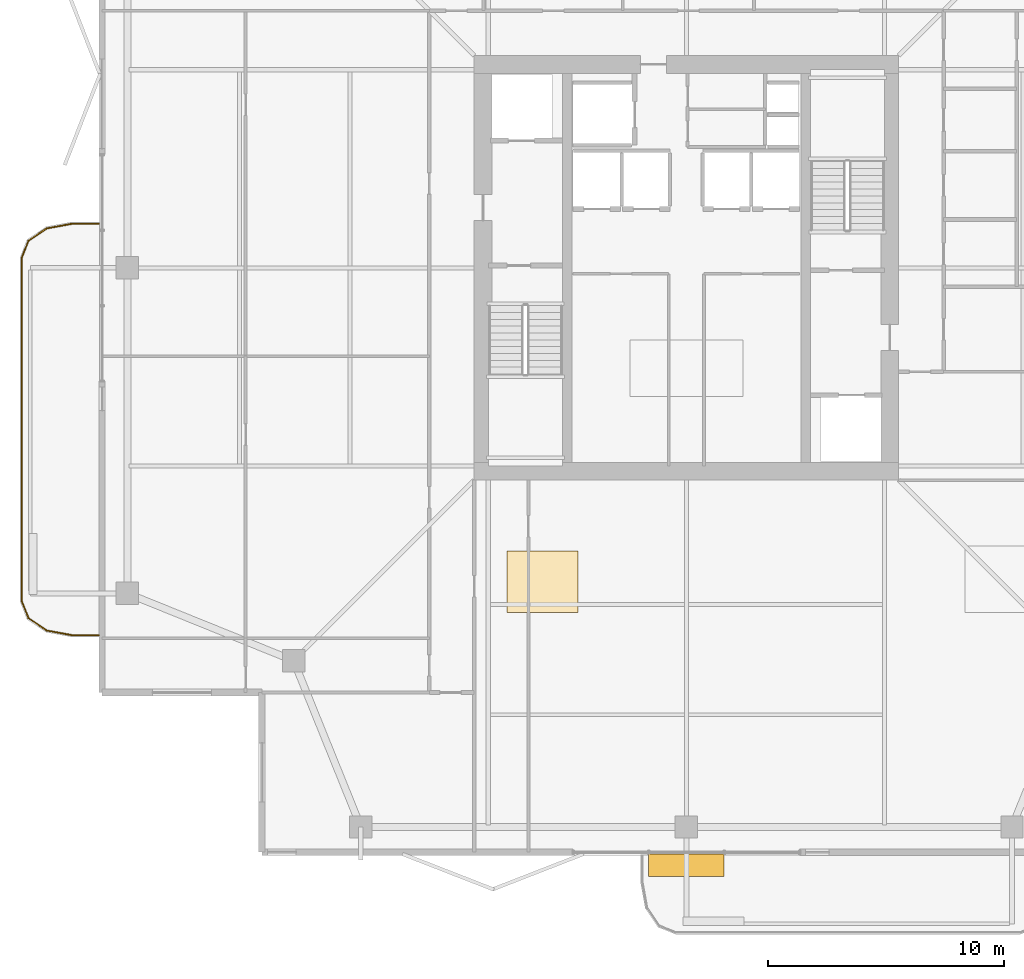
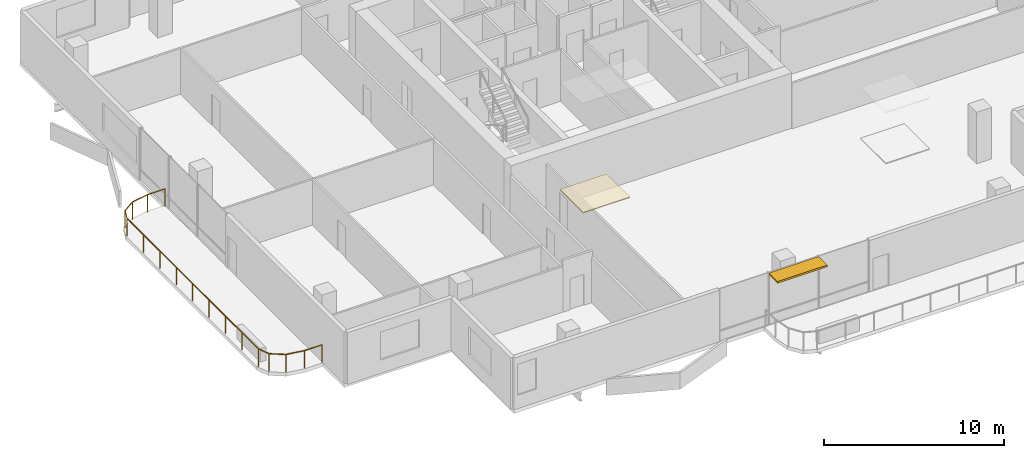
# One storey, part 22 of 25: 1 covering, 1 railing, 1 shading device.
"""IFC4 building model written with IfcOpenShell, lengths in metres."""

from ifc_helpers import new_model, si_unit, direction, frame, origin, origin_2d, place, context, subcontext, project, spatial, polyline, rectangle, outline, extrude, material, layer, layer_set, type_object, element, save


model = new_model("IFC4")

# Units and contexts
model_context = context("Model", 3, precision=1e-05, world=origin(), true_north=direction((0.0, 1.0)))
body_context = subcontext(model_context, "Body", "Model", "MODEL_VIEW")
ifc_project = project(units=[si_unit("LENGTHUNIT", "METRE"), si_unit("AREAUNIT", "SQUARE_METRE"), si_unit("VOLUMEUNIT", "CUBIC_METRE"), si_unit("PLANEANGLEUNIT", "RADIAN"), si_unit("MASSUNIT", "GRAM", prefix="KILO")], contexts=[model_context])

# Site, building, storey
site_placement = place(None, origin())
site = spatial("IfcSite", under=ifc_project, at=site_placement, CompositionType="ELEMENT")
building_placement = place(site_placement, origin())
building = spatial("IfcBuilding", under=site, at=building_placement, Name="Belovzor Exchange Tower", CompositionType="ELEMENT")
storey_placement = place(building_placement, frame((0.0, 0.0, 269.10009765625)))
storey = spatial("IfcBuildingStorey", under=building, at=storey_placement, Name="L67", CompositionType="ELEMENT", Elevation=269.10009765625)

# Railing
ifc_material_1 = material(Name="Stainless Steel and Laminated Safety Glass", Category="steel")
railing_type = type_object("IfcRailingType", Name="Laminated Glass & Stainless Steel Balcony Balustrade 1200", PredefinedType="BALUSTRADE", material=ifc_material_1)
railing_placement = place(storey_placement, frame((3.889892578125, 30.669921875, 0.0)))
element("IfcRailing", 1, at=railing_placement, inside=storey, type_object=railing_type, Name="GR-1 Balcony Balustrade L67 West", PredefinedType="BALUSTRADE", context=body_context, shape_type="SweptSolid", body=[
    extrude(rectangle(XDim=0.048095703125, YDim=0.048095703125, at=origin_2d()), frame((0.0, 0.0, 1.17578125), z_axis=(-1.0, 0.0, 0.0), x_axis=(0.0, -1.0, 0.0)), (0.0, 0.0, 1.0), 1.1328125),
    extrude(rectangle(XDim=0.048095703125, YDim=0.048095703125, at=origin_2d()), frame((-1.1328125, 0.0, 1.17578125), z_axis=(-0.983651385113, -0.180083182347, 0.0), x_axis=(0.180083182347, -0.983651385113, 0.0)), (0.0, 0.0, 1.0), 1.093994140625),
    extrude(rectangle(XDim=0.048095703125, YDim=0.048095703125, at=origin_2d()), frame((-2.208984375, -0.197021484375, 1.17578125), z_axis=(-0.826614792125, -0.562768145367, 0.0), x_axis=(0.562768145367, -0.826614792125, 0.0)), (0.0, 0.0, 1.0), 0.9326171875),
    extrude(rectangle(XDim=0.048095703125, YDim=0.048095703125, at=origin_2d()), frame((-2.97998046875, -0.721923828125, 1.17578125), z_axis=(-0.365612923861, -0.930766990125, 0.0), x_axis=(0.930766990125, -0.365612923861, 0.0)), (0.0, 0.0, 1.0), 0.765869140625),
    extrude(rectangle(XDim=0.048095703125, YDim=0.048095703125, at=origin_2d()), frame((-3.260009765625, -1.434814453125, 1.17578125), z_axis=(0.0, -1.0, 0.0), x_axis=(1.0, 0.0, 0.0)), (0.0, 0.0, 1.0), 14.570068359375),
    extrude(rectangle(XDim=0.048095703125, YDim=0.048095703125, at=origin_2d()), frame((-3.260009765625, -16.0048828125, 1.17578125), z_axis=(0.365504480807, -0.930809580156, 0.0), x_axis=(0.930809580156, 0.365504480807, 0.0)), (0.0, 0.0, 1.0), 0.76611328125),
    extrude(rectangle(XDim=0.048095703125, YDim=0.048095703125, at=origin_2d()), frame((-2.97998046875, -16.718017578125, 1.17578125), z_axis=(0.826614792125, -0.562768145367, 0.0), x_axis=(0.562768145367, 0.826614792125, 0.0)), (0.0, 0.0, 1.0), 0.9326171875),
    extrude(rectangle(XDim=0.048095703125, YDim=0.048095703125, at=origin_2d()), frame((-2.208984375, -17.242919921875, 1.17578125), z_axis=(0.983651385113, -0.180083182347, 0.0), x_axis=(0.180083182347, 0.983651385113, 0.0)), (0.0, 0.0, 1.0), 1.093994140625),
    extrude(rectangle(XDim=0.048095703125, YDim=0.048095703125, at=origin_2d()), frame((-1.1328125, -17.43994140625, 1.17578125), z_axis=(1.0, 0.0, 0.0), x_axis=(0.0, 1.0, 0.0)), (0.0, 0.0, 1.0), 1.1328125),
    extrude(rectangle(XDim=0.0419921875, YDim=0.0419921875, at=origin_2d()), origin(), (0.0, 0.0, 1.0), 1.15185546875),
    extrude(rectangle(XDim=0.0419921875, YDim=0.0419921875, at=origin_2d()), frame((-1.1328125, 0.0, 0.0)), (0.0, 0.0, 1.0), 1.15185546875),
    extrude(rectangle(XDim=0.0419921875, YDim=0.0419921875, at=origin_2d()), frame((-2.208984375, -0.197021484375, 0.0)), (0.0, 0.0, 1.0), 1.15185546875),
    extrude(rectangle(XDim=0.0419921875, YDim=0.0419921875, at=origin_2d()), frame((-2.97998046875, -0.721923828125, 0.0)), (0.0, 0.0, 1.0), 1.15185546875),
    extrude(rectangle(XDim=0.0419921875, YDim=0.0419921875, at=origin_2d()), frame((-3.260009765625, -1.434814453125, 0.0)), (0.0, 0.0, 1.0), 1.15185546875),
    extrude(rectangle(XDim=0.0419921875, YDim=0.0419921875, at=origin_2d()), frame((-3.260009765625, -3.256103515625, 0.0)), (0.0, 0.0, 1.0), 1.15185546875),
    extrude(rectangle(XDim=0.0419921875, YDim=0.0419921875, at=origin_2d()), frame((-3.260009765625, -5.077392578125, 0.0)), (0.0, 0.0, 1.0), 1.15185546875),
    extrude(rectangle(XDim=0.0419921875, YDim=0.0419921875, at=origin_2d()), frame((-3.260009765625, -6.898681640625, 0.0)), (0.0, 0.0, 1.0), 1.15185546875),
    extrude(rectangle(XDim=0.0419921875, YDim=0.0419921875, at=origin_2d()), frame((-3.260009765625, -8.7197265625, 0.0)), (0.0, 0.0, 1.0), 1.15185546875),
    extrude(rectangle(XDim=0.0419921875, YDim=0.0419921875, at=origin_2d()), frame((-3.260009765625, -10.541015625, 0.0)), (0.0, 0.0, 1.0), 1.15185546875),
    extrude(rectangle(XDim=0.0419921875, YDim=0.0419921875, at=origin_2d()), frame((-3.260009765625, -12.3623046875, 0.0)), (0.0, 0.0, 1.0), 1.15185546875),
    extrude(rectangle(XDim=0.0419921875, YDim=0.0419921875, at=origin_2d()), frame((-3.260009765625, -14.18359375, 0.0)), (0.0, 0.0, 1.0), 1.15185546875),
    extrude(rectangle(XDim=0.0419921875, YDim=0.0419921875, at=origin_2d()), frame((-3.260009765625, -16.0048828125, 0.0)), (0.0, 0.0, 1.0), 1.15185546875),
    extrude(rectangle(XDim=0.0419921875, YDim=0.0419921875, at=origin_2d()), frame((-2.97998046875, -16.718017578125, 0.0)), (0.0, 0.0, 1.0), 1.15185546875),
    extrude(rectangle(XDim=0.0419921875, YDim=0.0419921875, at=origin_2d()), frame((-2.208984375, -17.242919921875, 0.0)), (0.0, 0.0, 1.0), 1.15185546875),
    extrude(rectangle(XDim=0.0419921875, YDim=0.0419921875, at=origin_2d()), frame((-1.1328125, -17.43994140625, 0.0)), (0.0, 0.0, 1.0), 1.15185546875),
    extrude(rectangle(XDim=0.0419921875, YDim=0.0419921875, at=origin_2d()), frame((0.0, -17.43994140625, 0.0)), (0.0, 0.0, 1.0), 1.15185546875),
])

# Covering
ifc_material_2 = material(Name="Perforated Powder-Coated Aluminium", Category="aluminium")
ifc_layer_1 = layer(ifc_material_2, 0.06005859375)
ifc_layer_set_1 = layer_set([ifc_layer_1], Name="Perforated Powder-Coated Aluminium")
covering_type = type_object("IfcCoveringType", Name="Perforated Acoustic Metal Tile Suspended Ceiling 60", PredefinedType="CEILING", material=ifc_layer_set_1)
covering_placement = place(storey_placement, frame((0.0, 0.0, 3.43994140625)))
element("IfcCovering", 2, at=covering_placement, inside=storey, type_object=covering_type, Name="CLG-AC60 Suspended Ceiling CLG-L67-Z0", PredefinedType="CEILING", context=body_context, shape_type="SweptSolid", body=[
    extrude(outline(polyline([(21.199951171875, 14.199951171875), (24.199951171875, 14.199951171875), (24.199951171875, 16.800048828125), (21.199951171875, 16.800048828125), (21.199951171875, 14.199951171875)])), origin(), (0.0, 0.0, 1.0), 0.06005859375),
])

# Shading device
ifc_material_3 = material(Name="Extruded Architectural Terracotta", Category="masonry")
ifc_layer_2 = layer(ifc_material_3, 0.1201171875)
ifc_layer_set_2 = layer_set([ifc_layer_2], Name="Extruded Architectural Terracotta")
shading_device_type = type_object("IfcShadingDeviceType", Name="Streamline Terracotta Horizontal Sunshade Hood 950", PredefinedType="AWNING", material=ifc_layer_set_2)
shading_device_placement = place(storey_placement, frame((28.800048828125, 3.485107421875, 3.3798828125), z_axis=(0.0, 0.0, 1.0), x_axis=(1.0, 0.0, 0.0)))
element("IfcShadingDevice", 3, at=shading_device_placement, inside=storey, type_object=shading_device_type, Name="SHD-TC095 Terracotta Sunshade L67 S", PredefinedType="AWNING", context=body_context, shape_type="SweptSolid", body=[
    extrude(rectangle(XDim=3.199951171875, YDim=0.949951171875, at=origin_2d()), origin(), (0.0, 0.0, 1.0), 0.1201171875),
])

save(model, "model.ifc")
